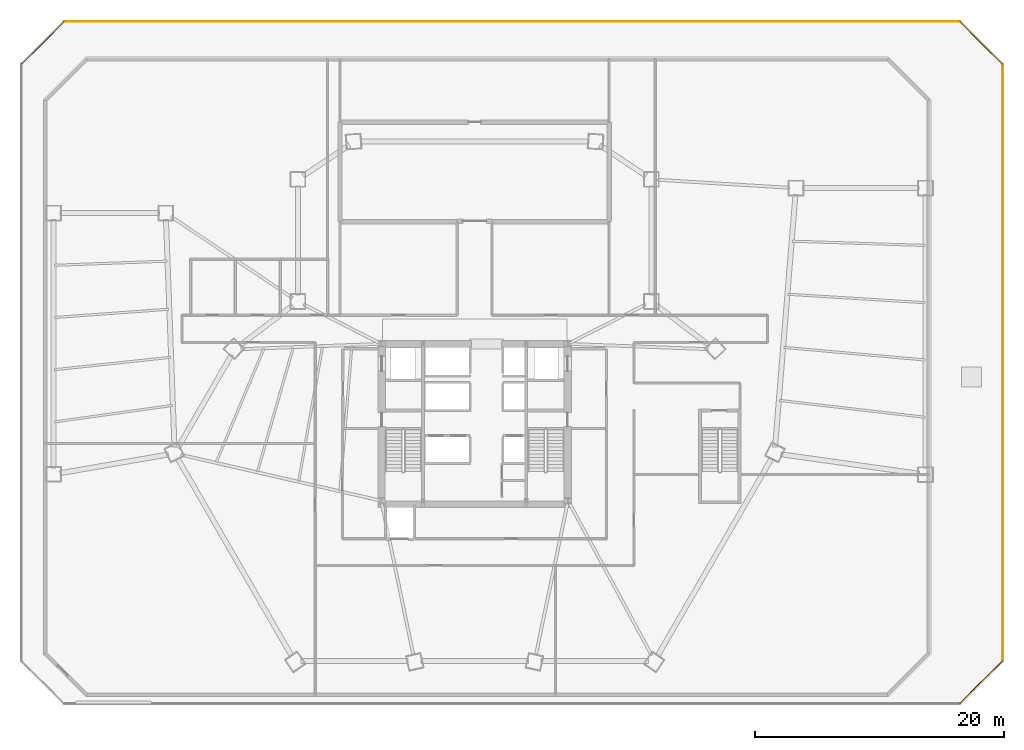
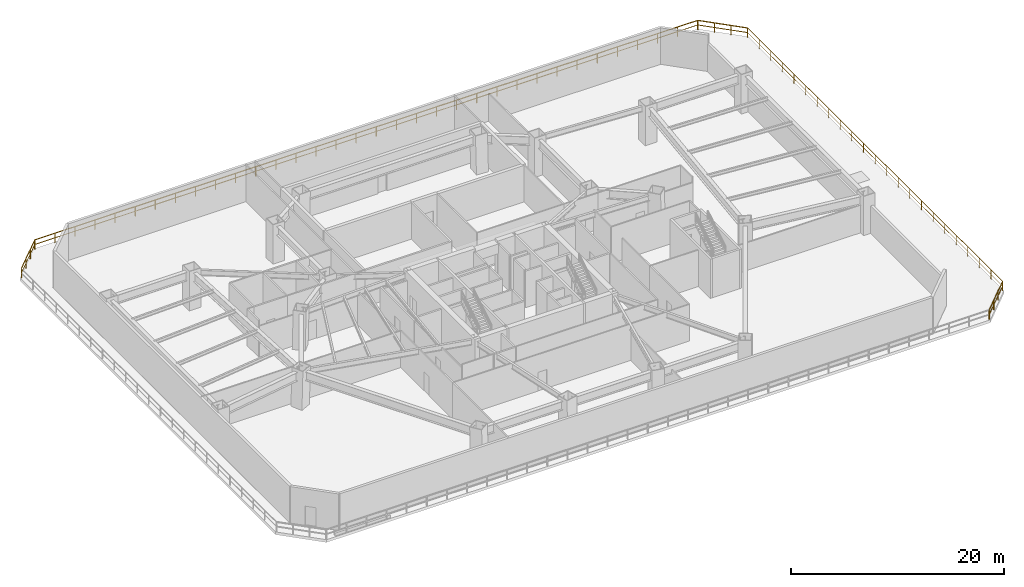
# One storey, part 13 of 13: 5 railings.
"""IFC4 building model written with IfcOpenShell, lengths in metres."""

import ifcopenshell
import ifcopenshell.guid

model = None  # the IFC model being written
_history = None  # IfcOwnerHistory: only IFC2X3 demands one
_inside = {}  # id of a spatial element -> (the spatial element, [elements in it])
_under = {}  # id of a project, library or spatial element -> (it, [spatial elements below it])
_declared = {}  # id of a project -> (the project, [libraries it declares])
_typed = {}  # id of a type object -> (the type object, [elements of that type])
_made_of = {}  # id of a material, layer set ... -> (it, [elements and type objects made of it])


def new_model(schema):
    """Start an empty IFC model of exactly this schema.

    Asked for "IFC4X3", IfcOpenShell would pick the latest addendum, in which some entities
    have other attributes; the version numbers below select the first issue.
    IFC2X3 requires an IfcOwnerHistory on every rooted entity: one is made here for all.
    """
    global model, _history
    if schema == "IFC4X3":
        model = ifcopenshell.file(schema_version=(4, 3, 0, 0))
    else:
        model = ifcopenshell.file(schema=schema)
    _inside.clear()
    _under.clear()
    _declared.clear()
    _typed.clear()
    _made_of.clear()
    _history = None
    if model.schema == "IFC2X3":
        org = make("IfcOrganization", Name="unknown")
        user = make(
            "IfcPersonAndOrganization",
            ThePerson=make("IfcPerson", FamilyName="unknown"),
            TheOrganization=org,
        )
        app = make(
            "IfcApplication",
            ApplicationDeveloper=org,
            Version="unknown",
            ApplicationFullName="unknown",
            ApplicationIdentifier="unknown",
        )
        _history = make(
            "IfcOwnerHistory",
            OwningUser=user,
            OwningApplication=app,
            ChangeAction="ADDED",
            CreationDate=0,
        )
    return model


def make(cls, **values):
    """One entity of the class cls with the attributes given. An attribute that is None is left unset."""
    return model.create_entity(
        cls, **{name: value for name, value in values.items() if value is not None}
    )


def rooted(cls, **values):
    """An entity with a GlobalId (a new one), such as an element, a storey or a relation."""
    return make(cls, GlobalId=ifcopenshell.guid.new(), OwnerHistory=_history, **values)


def si_unit(unit_type, name, prefix=None):
    """IfcSIUnit, for example si_unit("LENGTHUNIT", "METRE", prefix="MILLI")."""
    return make("IfcSIUnit", UnitType=unit_type, Prefix=prefix, Name=name)


def assignment(units):
    """IfcUnitAssignment: the units of a project."""
    return None if units is None else make("IfcUnitAssignment", Units=units)


def point(xyz):
    """IfcCartesianPoint."""
    return None if xyz is None else make("IfcCartesianPoint", Coordinates=xyz)


def direction(xyz):
    """IfcDirection."""
    return None if xyz is None else make("IfcDirection", DirectionRatios=xyz)


def frame(location, z_axis=None, x_axis=None):
    """IfcAxis2Placement3D, a coordinate frame: its origin and axes. An axis left out is left unset."""
    return make(
        "IfcAxis2Placement3D",
        Location=point(location),
        Axis=direction(z_axis),
        RefDirection=direction(x_axis),
    )


def frame_2d(location, x_axis=None):
    """IfcAxis2Placement2D, a coordinate frame in the plane: its origin and x axis."""
    return make(
        "IfcAxis2Placement2D", Location=point(location), RefDirection=direction(x_axis)
    )


def origin():
    """The frame at (0, 0, 0) with its axes left unset."""
    return frame((0.0, 0.0, 0.0))


def origin_2d():
    """The frame at (0, 0) in the plane with its x axis left unset."""
    return frame_2d((0.0, 0.0))


def place(relative_to, where):
    """IfcLocalPlacement: puts the frame where relative to a parent placement (None: the world)."""
    return make(
        "IfcLocalPlacement", PlacementRelTo=relative_to, RelativePlacement=where
    )


def context(
    kind, dimensions, precision=None, world=None, true_north=None, identifier=None
):
    """IfcGeometricRepresentationContext, for example the 3D "Model" context."""
    return make(
        "IfcGeometricRepresentationContext",
        ContextIdentifier=identifier,
        ContextType=kind,
        CoordinateSpaceDimension=dimensions,
        Precision=precision,
        WorldCoordinateSystem=world,
        TrueNorth=true_north,
    )


def subcontext(parent, identifier, kind, view, scale=None):
    """IfcGeometricRepresentationSubContext, for example "Body" below "Model"."""
    return make(
        "IfcGeometricRepresentationSubContext",
        ContextIdentifier=identifier,
        ContextType=kind,
        ParentContext=parent,
        TargetScale=scale,
        TargetView=view,
    )


def project(units=None, contexts=None):
    """IfcProject with its units and contexts."""
    return rooted(
        "IfcProject",
        Name="project",
        RepresentationContexts=contexts,
        UnitsInContext=assignment(units),
    )


def spatial(cls, under=None, at=None, **own):
    """A site, building, storey or space (cls), placed at a placement, below another one or the project."""
    s = rooted(cls, ObjectPlacement=at, **own)
    if under is not None:
        _under.setdefault(under.id(), (under, []))[1].append(s)
    return s


def profile(cls, at=None, kind="AREA", **sizes):
    """A parametric profile (cls). Its sizes go by their IFC names, for example OverallWidth=200.0."""
    return make(cls, ProfileType=kind, Position=at, **sizes)


def rectangle(**sizes):
    """IfcRectangleProfileDef."""
    return profile("IfcRectangleProfileDef", **sizes)


def extrude(swept, where, along, depth):
    """IfcExtrudedAreaSolid: the profile swept, set in the frame where, extruded along a direction by depth."""
    return make(
        "IfcExtrudedAreaSolid",
        SweptArea=swept,
        Position=where,
        ExtrudedDirection=direction(along),
        Depth=depth,
    )


def shape(context_of_items, identifier, shape_type, items):
    """IfcShapeRepresentation: the items that make up one representation, for example the "Body"."""
    return make(
        "IfcShapeRepresentation",
        ContextOfItems=context_of_items,
        RepresentationIdentifier=identifier,
        RepresentationType=shape_type,
        Items=items,
    )


def material(Name=None, Category=None):
    """IfcMaterial."""
    return make("IfcMaterial", Name=Name, Category=Category)


def layer(
    of_material, thickness, ventilated=None, Name=None, Category=None, Priority=None
):
    """IfcMaterialLayer: one layer of a wall or slab, of a material (None: an air gap)."""
    return make(
        "IfcMaterialLayer",
        Material=of_material,
        LayerThickness=thickness,
        IsVentilated=ventilated,
        Name=Name,
        Category=Category,
        Priority=Priority,
    )


def layer_set(layers, Name=None):
    """IfcMaterialLayerSet."""
    return make("IfcMaterialLayerSet", MaterialLayers=layers, LayerSetName=Name)


def made_of(thing, what):
    """Note that an element or type object is made of a material, layer set ...; save() writes the relation."""
    if what is not None:
        _made_of.setdefault(what.id(), (what, []))[1].append(thing)
    return thing


def type_object(cls, material=None, **own):
    """A type object (cls), such as IfcWallType, which elements share."""
    return made_of(rooted(cls, **own), material)


def element(
    cls,
    number,
    at=None,
    inside=None,
    cuts=None,
    type_object=None,
    material=None,
    context=None,
    identifier="Body",
    shape_type=None,
    held_by="IfcProductDefinitionShape",
    body=None,
    shapes=None,
    **own,
):
    """One element of the class cls, such as IfcWall. Its Tag is "e" and its number.

    at: its placement. inside: the storey or other place that contains it. cuts: it is an
    opening in that element (IfcRelVoidsElement). A single representation is given by context,
    identifier, shape_type and body (its items); several are given by shapes. held_by: the class
    of the entity that holds the representations. save() writes the other relations.
    """
    e = rooted(cls, Tag="e%d" % number, ObjectPlacement=at, **own)
    if body is not None:
        shapes = [shape(context, identifier, shape_type, body)]
    if shapes is not None:
        e.Representation = make(held_by, Representations=shapes)
    if inside is not None:
        _inside.setdefault(inside.id(), (inside, []))[1].append(e)
    if cuts is not None:
        rooted(
            "IfcRelVoidsElement", RelatingBuildingElement=cuts, RelatedOpeningElement=e
        )
    if type_object is not None:
        _typed.setdefault(type_object.id(), (type_object, []))[1].append(e)
    return made_of(e, material)


def aggregate(whole, parts):
    """IfcRelAggregates: a whole, such as a stair, and the parts it consists of."""
    return rooted("IfcRelAggregates", RelatingObject=whole, RelatedObjects=parts)


def save(model, path):
    """Write the relations noted so far, then the file.

    IfcRelAggregates (storeys below a building ...), IfcRelContainedInSpatialStructure (elements
    in a storey), IfcRelDefinesByType, IfcRelAssociatesMaterial and IfcRelDeclares: one each for
    every whole, place, type object, material and project.
    """
    for whole, parts in _under.values():
        aggregate(whole, parts)
    for where, things in _inside.values():
        rooted(
            "IfcRelContainedInSpatialStructure",
            RelatedElements=things,
            RelatingStructure=where,
        )
    for kind, things in _typed.values():
        rooted("IfcRelDefinesByType", RelatedObjects=things, RelatingType=kind)
    for what, things in _made_of.values():
        rooted("IfcRelAssociatesMaterial", RelatedObjects=things, RelatingMaterial=what)
    for by, libraries in _declared.values():
        rooted("IfcRelDeclares", RelatingContext=by, RelatedDefinitions=libraries)
    model.write(path)


model = new_model("IFC4")

# Units and contexts
model_context = context("Model", 3, precision=1e-05, world=origin(), true_north=direction((0.0, 1.0)))
body_context = subcontext(model_context, "Body", "Model", "MODEL_VIEW")
ifc_project = project(units=[si_unit("LENGTHUNIT", "METRE"), si_unit("AREAUNIT", "SQUARE_METRE"), si_unit("VOLUMEUNIT", "CUBIC_METRE"), si_unit("PLANEANGLEUNIT", "RADIAN"), si_unit("MASSUNIT", "GRAM", prefix="KILO")], contexts=[model_context])

# Site, building, storey
site_placement = place(None, origin())
site = spatial("IfcSite", under=ifc_project, at=site_placement, CompositionType="ELEMENT")
building_placement = place(site_placement, origin())
building = spatial("IfcBuilding", under=site, at=building_placement, Name="Caelisora Broadcast Tower", CompositionType="ELEMENT")
storey_placement = place(building_placement, frame((0.0, 0.0, 10.199951171875)))
storey = spatial("IfcBuildingStorey", under=building, at=storey_placement, Name="L02", CompositionType="ELEMENT", Elevation=10.199951171875)

# Railings
ifc_material = material(Name="Laminated Glass and Stainless Steel Terrace Balustrade", Category="steel")
ifc_layer = layer(ifc_material, 0.048095703125, Name="Laminated Glass and Stainless Steel Terrace Balustrade")
ifc_layer_set = layer_set([ifc_layer], Name="Laminated Glass and Stainless Steel Terrace Balustrade")
railing_type = type_object("IfcRailingType", Name="BL-1", PredefinedType="BALUSTRADE", material=ifc_layer_set)
railing_1_placement = place(storey_placement, frame((1.6201171875, 52.449951171875, 0.0)))
element("IfcRailing", 1, at=railing_1_placement, inside=storey, type_object=railing_type, Name="L02 balustrade BL-1 #03", PredefinedType="BALUSTRADE", context=body_context, shape_type="SweptSolid", body=[
    extrude(rectangle(XDim=0.048095703125, YDim=0.048095703125, at=origin_2d()), frame((0.0, 0.0, 1.076171875), z_axis=(0.707106781187, 0.707106781187, 0.0), x_axis=(-0.707106781187, 0.707106781187, 0.0)), (0.0, 0.0, 1.0), 4.8505859375),
    extrude(rectangle(XDim=0.03125, YDim=0.03125, at=origin_2d()), frame((0.0, 0.0, 0.550048828125), z_axis=(0.707106781187, 0.707106781187, 0.0), x_axis=(-0.707106781187, 0.707106781187, 0.0)), (0.0, 0.0, 1.0), 4.8505859375),
    extrude(rectangle(XDim=0.0419921875, YDim=0.0419921875, at=origin_2d()), origin(), (0.0, 0.0, 1.0), 1.052001953125),
    extrude(rectangle(XDim=0.0419921875, YDim=0.0419921875, at=origin_2d()), frame((1.143310546875, 1.143310546875, 0.0)), (0.0, 0.0, 1.0), 1.052001953125),
    extrude(rectangle(XDim=0.0419921875, YDim=0.0419921875, at=origin_2d()), frame((2.28662109375, 2.28662109375, 0.0)), (0.0, 0.0, 1.0), 1.052001953125),
    extrude(rectangle(XDim=0.0419921875, YDim=0.0419921875, at=origin_2d()), frame((3.429931640625, 3.429931640625, 0.0)), (0.0, 0.0, 1.0), 1.052001953125),
])
railing_2_placement = place(storey_placement, frame((5.050048828125, 55.8798828125, 0.0)))
element("IfcRailing", 2, at=railing_2_placement, inside=storey, type_object=railing_type, Name="L02 balustrade BL-1 #04", PredefinedType="BALUSTRADE", context=body_context, shape_type="SweptSolid", body=[
    extrude(rectangle(XDim=0.048095703125, YDim=0.048095703125, at=origin_2d()), frame((0.0, 0.0, 1.076171875), z_axis=(1.0, 0.0, 0.0), x_axis=(0.0, 1.0, 0.0)), (0.0, 0.0, 1.0), 71.89990234375),
    extrude(rectangle(XDim=0.03125, YDim=0.03125, at=origin_2d()), frame((0.0, 0.0, 0.550048828125), z_axis=(1.0, 0.0, 0.0), x_axis=(0.0, 1.0, 0.0)), (0.0, 0.0, 1.0), 71.89990234375),
    extrude(rectangle(XDim=0.0419921875, YDim=0.0419921875, at=origin_2d()), origin(), (0.0, 0.0, 1.0), 1.052001953125),
    extrude(rectangle(XDim=0.0419921875, YDim=0.0419921875, at=origin_2d()), frame((2.1787109375, 0.0, 0.0)), (0.0, 0.0, 1.0), 1.052001953125),
    extrude(rectangle(XDim=0.0419921875, YDim=0.0419921875, at=origin_2d()), frame((4.357666015625, 0.0, 0.0)), (0.0, 0.0, 1.0), 1.052001953125),
    extrude(rectangle(XDim=0.0419921875, YDim=0.0419921875, at=origin_2d()), frame((6.536376953125, 0.0, 0.0)), (0.0, 0.0, 1.0), 1.052001953125),
    extrude(rectangle(XDim=0.0419921875, YDim=0.0419921875, at=origin_2d()), frame((8.715087890625, 0.0, 0.0)), (0.0, 0.0, 1.0), 1.052001953125),
    extrude(rectangle(XDim=0.0419921875, YDim=0.0419921875, at=origin_2d()), frame((10.89404296875, 0.0, 0.0)), (0.0, 0.0, 1.0), 1.052001953125),
    extrude(rectangle(XDim=0.0419921875, YDim=0.0419921875, at=origin_2d()), frame((13.07275390625, 0.0, 0.0)), (0.0, 0.0, 1.0), 1.052001953125),
    extrude(rectangle(XDim=0.0419921875, YDim=0.0419921875, at=origin_2d()), frame((15.25146484375, 0.0, 0.0)), (0.0, 0.0, 1.0), 1.052001953125),
    extrude(rectangle(XDim=0.0419921875, YDim=0.0419921875, at=origin_2d()), frame((17.43017578125, 0.0, 0.0)), (0.0, 0.0, 1.0), 1.052001953125),
    extrude(rectangle(XDim=0.0419921875, YDim=0.0419921875, at=origin_2d()), frame((19.609130859375, 0.0, 0.0)), (0.0, 0.0, 1.0), 1.052001953125),
    extrude(rectangle(XDim=0.0419921875, YDim=0.0419921875, at=origin_2d()), frame((21.787841796875, 0.0, 0.0)), (0.0, 0.0, 1.0), 1.052001953125),
    extrude(rectangle(XDim=0.0419921875, YDim=0.0419921875, at=origin_2d()), frame((23.966552734375, 0.0, 0.0)), (0.0, 0.0, 1.0), 1.052001953125),
    extrude(rectangle(XDim=0.0419921875, YDim=0.0419921875, at=origin_2d()), frame((26.1455078125, 0.0, 0.0)), (0.0, 0.0, 1.0), 1.052001953125),
    extrude(rectangle(XDim=0.0419921875, YDim=0.0419921875, at=origin_2d()), frame((28.32421875, 0.0, 0.0)), (0.0, 0.0, 1.0), 1.052001953125),
    extrude(rectangle(XDim=0.0419921875, YDim=0.0419921875, at=origin_2d()), frame((30.5029296875, 0.0, 0.0)), (0.0, 0.0, 1.0), 1.052001953125),
    extrude(rectangle(XDim=0.0419921875, YDim=0.0419921875, at=origin_2d()), frame((32.681884765625, 0.0, 0.0)), (0.0, 0.0, 1.0), 1.052001953125),
    extrude(rectangle(XDim=0.0419921875, YDim=0.0419921875, at=origin_2d()), frame((34.860595703125, 0.0, 0.0)), (0.0, 0.0, 1.0), 1.052001953125),
    extrude(rectangle(XDim=0.0419921875, YDim=0.0419921875, at=origin_2d()), frame((37.039306640625, 0.0, 0.0)), (0.0, 0.0, 1.0), 1.052001953125),
    extrude(rectangle(XDim=0.0419921875, YDim=0.0419921875, at=origin_2d()), frame((39.218017578125, 0.0, 0.0)), (0.0, 0.0, 1.0), 1.052001953125),
    extrude(rectangle(XDim=0.0419921875, YDim=0.0419921875, at=origin_2d()), frame((41.39697265625, 0.0, 0.0)), (0.0, 0.0, 1.0), 1.052001953125),
    extrude(rectangle(XDim=0.0419921875, YDim=0.0419921875, at=origin_2d()), frame((43.57568359375, 0.0, 0.0)), (0.0, 0.0, 1.0), 1.052001953125),
    extrude(rectangle(XDim=0.0419921875, YDim=0.0419921875, at=origin_2d()), frame((45.75439453125, 0.0, 0.0)), (0.0, 0.0, 1.0), 1.052001953125),
    extrude(rectangle(XDim=0.0419921875, YDim=0.0419921875, at=origin_2d()), frame((47.933349609375, 0.0, 0.0)), (0.0, 0.0, 1.0), 1.052001953125),
    extrude(rectangle(XDim=0.0419921875, YDim=0.0419921875, at=origin_2d()), frame((50.112060546875, 0.0, 0.0)), (0.0, 0.0, 1.0), 1.052001953125),
    extrude(rectangle(XDim=0.0419921875, YDim=0.0419921875, at=origin_2d()), frame((52.290771484375, 0.0, 0.0)), (0.0, 0.0, 1.0), 1.052001953125),
    extrude(rectangle(XDim=0.0419921875, YDim=0.0419921875, at=origin_2d()), frame((54.4697265625, 0.0, 0.0)), (0.0, 0.0, 1.0), 1.052001953125),
    extrude(rectangle(XDim=0.0419921875, YDim=0.0419921875, at=origin_2d()), frame((56.6484375, 0.0, 0.0)), (0.0, 0.0, 1.0), 1.052001953125),
    extrude(rectangle(XDim=0.0419921875, YDim=0.0419921875, at=origin_2d()), frame((58.8271484375, 0.0, 0.0)), (0.0, 0.0, 1.0), 1.052001953125),
    extrude(rectangle(XDim=0.0419921875, YDim=0.0419921875, at=origin_2d()), frame((61.005859375, 0.0, 0.0)), (0.0, 0.0, 1.0), 1.052001953125),
    extrude(rectangle(XDim=0.0419921875, YDim=0.0419921875, at=origin_2d()), frame((63.184814453125, 0.0, 0.0)), (0.0, 0.0, 1.0), 1.052001953125),
    extrude(rectangle(XDim=0.0419921875, YDim=0.0419921875, at=origin_2d()), frame((65.363525390625, 0.0, 0.0)), (0.0, 0.0, 1.0), 1.052001953125),
    extrude(rectangle(XDim=0.0419921875, YDim=0.0419921875, at=origin_2d()), frame((67.542236328125, 0.0, 0.0)), (0.0, 0.0, 1.0), 1.052001953125),
    extrude(rectangle(XDim=0.0419921875, YDim=0.0419921875, at=origin_2d()), frame((69.72119140625, 0.0, 0.0)), (0.0, 0.0, 1.0), 1.052001953125),
    extrude(rectangle(XDim=0.0419921875, YDim=0.0419921875, at=origin_2d()), frame((71.89990234375, 0.0, 0.0)), (0.0, 0.0, 1.0), 1.052001953125),
])
railing_3_placement = place(storey_placement, frame((76.949951171875, 55.8798828125, 0.0)))
element("IfcRailing", 3, at=railing_3_placement, inside=storey, type_object=railing_type, Name="L02 balustrade BL-1 #05", PredefinedType="BALUSTRADE", context=body_context, shape_type="SweptSolid", body=[
    extrude(rectangle(XDim=0.048095703125, YDim=0.048095703125, at=origin_2d()), frame((0.0, 0.0, 1.076171875), z_axis=(0.707106781187, -0.707106781187, 0.0), x_axis=(0.707106781187, 0.707106781187, 0.0)), (0.0, 0.0, 1.0), 4.8505859375),
    extrude(rectangle(XDim=0.03125, YDim=0.03125, at=origin_2d()), frame((0.0, 0.0, 0.550048828125), z_axis=(0.707106781187, -0.707106781187, 0.0), x_axis=(0.707106781187, 0.707106781187, 0.0)), (0.0, 0.0, 1.0), 4.8505859375),
    extrude(rectangle(XDim=0.0419921875, YDim=0.0419921875, at=origin_2d()), origin(), (0.0, 0.0, 1.0), 1.052001953125),
    extrude(rectangle(XDim=0.0419921875, YDim=0.0419921875, at=origin_2d()), frame((1.143310546875, -1.143310546875, 0.0)), (0.0, 0.0, 1.0), 1.052001953125),
    extrude(rectangle(XDim=0.0419921875, YDim=0.0419921875, at=origin_2d()), frame((2.28662109375, -2.28662109375, 0.0)), (0.0, 0.0, 1.0), 1.052001953125),
    extrude(rectangle(XDim=0.0419921875, YDim=0.0419921875, at=origin_2d()), frame((3.429931640625, -3.429931640625, 0.0)), (0.0, 0.0, 1.0), 1.052001953125),
])
railing_4_placement = place(storey_placement, frame((80.3798828125, 52.449951171875, 0.0)))
element("IfcRailing", 4, at=railing_4_placement, inside=storey, type_object=railing_type, Name="L02 balustrade BL-1 #06", PredefinedType="BALUSTRADE", context=body_context, shape_type="SweptSolid", body=[
    extrude(rectangle(XDim=0.048095703125, YDim=0.048095703125, at=origin_2d()), frame((0.0, 0.0, 1.076171875), z_axis=(0.0, -1.0, 0.0), x_axis=(1.0, 0.0, 0.0)), (0.0, 0.0, 1.0), 47.89990234375),
    extrude(rectangle(XDim=0.03125, YDim=0.03125, at=origin_2d()), frame((0.0, 0.0, 0.550048828125), z_axis=(0.0, -1.0, 0.0), x_axis=(1.0, 0.0, 0.0)), (0.0, 0.0, 1.0), 47.89990234375),
    extrude(rectangle(XDim=0.0419921875, YDim=0.0419921875, at=origin_2d()), origin(), (0.0, 0.0, 1.0), 1.052001953125),
    extrude(rectangle(XDim=0.0419921875, YDim=0.0419921875, at=origin_2d()), frame((0.0, -2.17724609375, 0.0)), (0.0, 0.0, 1.0), 1.052001953125),
    extrude(rectangle(XDim=0.0419921875, YDim=0.0419921875, at=origin_2d()), frame((0.0, -4.3544921875, 0.0)), (0.0, 0.0, 1.0), 1.052001953125),
    extrude(rectangle(XDim=0.0419921875, YDim=0.0419921875, at=origin_2d()), frame((0.0, -6.53173828125, 0.0)), (0.0, 0.0, 1.0), 1.052001953125),
    extrude(rectangle(XDim=0.0419921875, YDim=0.0419921875, at=origin_2d()), frame((0.0, -8.708984375, 0.0)), (0.0, 0.0, 1.0), 1.052001953125),
    extrude(rectangle(XDim=0.0419921875, YDim=0.0419921875, at=origin_2d()), frame((0.0, -10.88623046875, 0.0)), (0.0, 0.0, 1.0), 1.052001953125),
    extrude(rectangle(XDim=0.0419921875, YDim=0.0419921875, at=origin_2d()), frame((0.0, -13.063720703125, 0.0)), (0.0, 0.0, 1.0), 1.052001953125),
    extrude(rectangle(XDim=0.0419921875, YDim=0.0419921875, at=origin_2d()), frame((0.0, -15.240966796875, 0.0)), (0.0, 0.0, 1.0), 1.052001953125),
    extrude(rectangle(XDim=0.0419921875, YDim=0.0419921875, at=origin_2d()), frame((0.0, -17.418212890625, 0.0)), (0.0, 0.0, 1.0), 1.052001953125),
    extrude(rectangle(XDim=0.0419921875, YDim=0.0419921875, at=origin_2d()), frame((0.0, -19.595458984375, 0.0)), (0.0, 0.0, 1.0), 1.052001953125),
    extrude(rectangle(XDim=0.0419921875, YDim=0.0419921875, at=origin_2d()), frame((0.0, -21.772705078125, 0.0)), (0.0, 0.0, 1.0), 1.052001953125),
    extrude(rectangle(XDim=0.0419921875, YDim=0.0419921875, at=origin_2d()), frame((0.0, -23.949951171875, 0.0)), (0.0, 0.0, 1.0), 1.052001953125),
    extrude(rectangle(XDim=0.0419921875, YDim=0.0419921875, at=origin_2d()), frame((0.0, -26.127197265625, 0.0)), (0.0, 0.0, 1.0), 1.052001953125),
    extrude(rectangle(XDim=0.0419921875, YDim=0.0419921875, at=origin_2d()), frame((0.0, -28.304443359375, 0.0)), (0.0, 0.0, 1.0), 1.052001953125),
    extrude(rectangle(XDim=0.0419921875, YDim=0.0419921875, at=origin_2d()), frame((0.0, -30.481689453125, 0.0)), (0.0, 0.0, 1.0), 1.052001953125),
    extrude(rectangle(XDim=0.0419921875, YDim=0.0419921875, at=origin_2d()), frame((0.0, -32.658935546875, 0.0)), (0.0, 0.0, 1.0), 1.052001953125),
    extrude(rectangle(XDim=0.0419921875, YDim=0.0419921875, at=origin_2d()), frame((0.0, -34.836181640625, 0.0)), (0.0, 0.0, 1.0), 1.052001953125),
    extrude(rectangle(XDim=0.0419921875, YDim=0.0419921875, at=origin_2d()), frame((0.0, -37.013671875, 0.0)), (0.0, 0.0, 1.0), 1.052001953125),
    extrude(rectangle(XDim=0.0419921875, YDim=0.0419921875, at=origin_2d()), frame((0.0, -39.19091796875, 0.0)), (0.0, 0.0, 1.0), 1.052001953125),
    extrude(rectangle(XDim=0.0419921875, YDim=0.0419921875, at=origin_2d()), frame((0.0, -41.3681640625, 0.0)), (0.0, 0.0, 1.0), 1.052001953125),
    extrude(rectangle(XDim=0.0419921875, YDim=0.0419921875, at=origin_2d()), frame((0.0, -43.54541015625, 0.0)), (0.0, 0.0, 1.0), 1.052001953125),
    extrude(rectangle(XDim=0.0419921875, YDim=0.0419921875, at=origin_2d()), frame((0.0, -45.72265625, 0.0)), (0.0, 0.0, 1.0), 1.052001953125),
    extrude(rectangle(XDim=0.0419921875, YDim=0.0419921875, at=origin_2d()), frame((0.0, -47.89990234375, 0.0)), (0.0, 0.0, 1.0), 1.052001953125),
])
railing_5_placement = place(storey_placement, frame((80.3798828125, 4.550048828125, 0.0)))
element("IfcRailing", 5, at=railing_5_placement, inside=storey, type_object=railing_type, Name="L02 balustrade BL-1 #07", PredefinedType="BALUSTRADE", context=body_context, shape_type="SweptSolid", body=[
    extrude(rectangle(XDim=0.048095703125, YDim=0.048095703125, at=origin_2d()), frame((0.0, 0.0, 1.076171875), z_axis=(-0.707106781187, -0.707106781187, 0.0), x_axis=(0.707106781187, -0.707106781187, 0.0)), (0.0, 0.0, 1.0), 4.8505859375),
    extrude(rectangle(XDim=0.03125, YDim=0.03125, at=origin_2d()), frame((0.0, 0.0, 0.550048828125), z_axis=(-0.707106781187, -0.707106781187, 0.0), x_axis=(0.707106781187, -0.707106781187, 0.0)), (0.0, 0.0, 1.0), 4.8505859375),
    extrude(rectangle(XDim=0.0419921875, YDim=0.0419921875, at=origin_2d()), origin(), (0.0, 0.0, 1.0), 1.052001953125),
    extrude(rectangle(XDim=0.0419921875, YDim=0.0419921875, at=origin_2d()), frame((-1.143310546875, -1.143310546875, 0.0)), (0.0, 0.0, 1.0), 1.052001953125),
    extrude(rectangle(XDim=0.0419921875, YDim=0.0419921875, at=origin_2d()), frame((-2.28662109375, -2.28662109375, 0.0)), (0.0, 0.0, 1.0), 1.052001953125),
    extrude(rectangle(XDim=0.0419921875, YDim=0.0419921875, at=origin_2d()), frame((-3.429931640625, -3.429931640625, 0.0)), (0.0, 0.0, 1.0), 1.052001953125),
])

save(model, "model.ifc")
